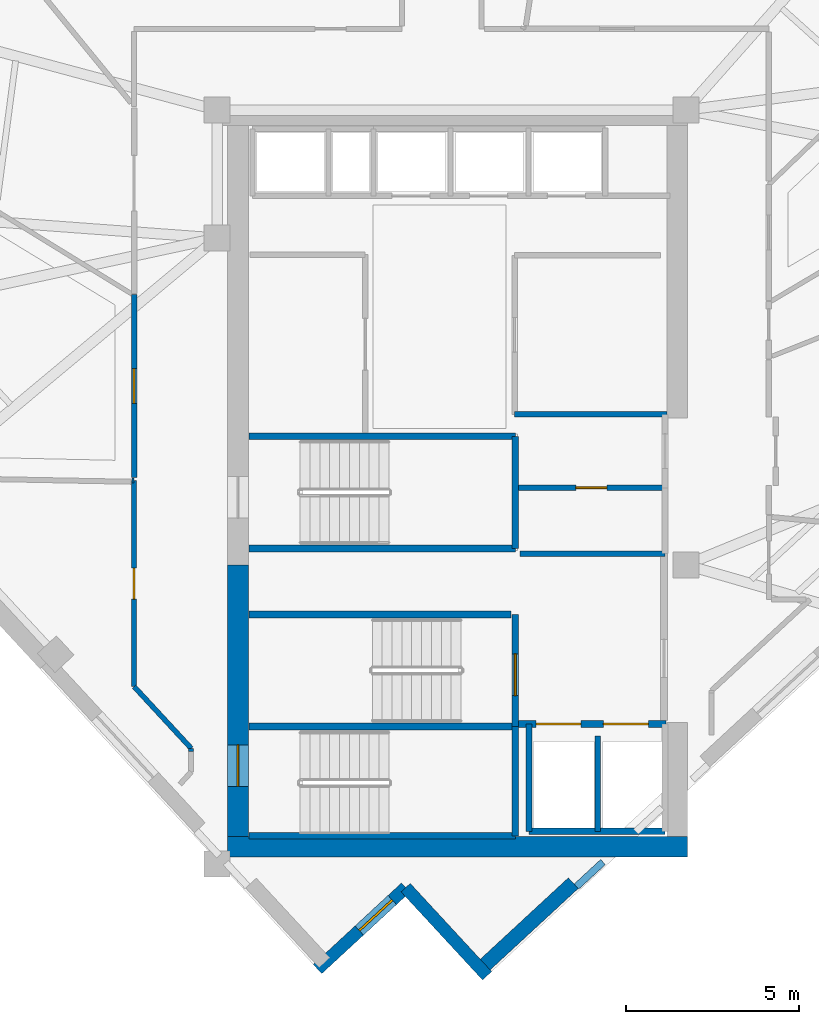
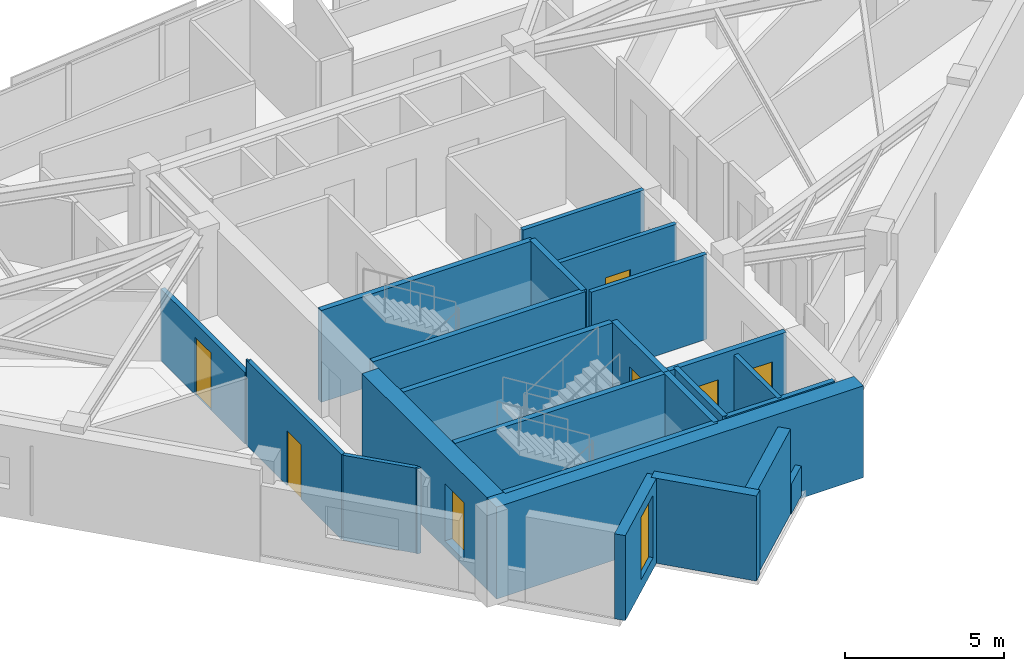
# One storey, part 8 of 13: 26 walls, 7 doors, 1 window, 8 openings.
"""IFC4 building model written with IfcOpenShell, lengths in metres."""

from ifc_helpers import new_model, si_unit, direction, frame, frame_2d, origin, place, context, subcontext, project, spatial, rectangle, extrude, material, layer, layer_set, type_object, element, fill, save


model = new_model("IFC4")

# Units and contexts
model_context = context("Model", 3, precision=1e-05, world=origin(), true_north=direction((0.0, 1.0)))
body_context = subcontext(model_context, "Body", "Model", "MODEL_VIEW")
ifc_project = project(units=[si_unit("LENGTHUNIT", "METRE"), si_unit("AREAUNIT", "SQUARE_METRE"), si_unit("VOLUMEUNIT", "CUBIC_METRE"), si_unit("PLANEANGLEUNIT", "RADIAN"), si_unit("MASSUNIT", "GRAM", prefix="KILO")], contexts=[model_context])

# Site, building, storey
site_placement = place(None, origin())
site = spatial("IfcSite", under=ifc_project, at=site_placement, CompositionType="ELEMENT")
building_placement = place(site_placement, origin())
building = spatial("IfcBuilding", under=site, at=building_placement, Name="Narakoshi Arena Tower", CompositionType="ELEMENT")
storey_placement = place(building_placement, frame((0.0, 0.0, 274.820068359375)))
storey = spatial("IfcBuildingStorey", under=building, at=storey_placement, Name="L75", CompositionType="ELEMENT", Elevation=274.820068359375)

# Wall, opening, door
ifc_material_1 = material(Name="Concrete C50/60", Category="concrete")
ifc_layer_1 = layer(ifc_material_1, 0.60009765625)
ifc_layer_set_1 = layer_set([ifc_layer_1], Name="Concrete C50/60")
wall_type_1 = type_object("IfcWallType", Name="WL-CORE-600", PredefinedType="SHEAR", material=ifc_layer_set_1)
wall_1_placement = place(storey_placement, frame((72.60009765625, 35.5, -0.260009765625), z_axis=(0.0, 0.0, 1.0), x_axis=(0.0, 1.0, 0.0)))
wall_1 = element("IfcWall", 1, at=wall_1_placement, inside=storey, type_object=wall_type_1, Name="L75 Central Core Shear Wall CW-APX-W", PredefinedType="SHEAR", context=body_context, shape_type="SweptSolid", body=[
    extrude(rectangle(XDim=7.85009765625, YDim=0.60009765625, at=frame_2d((3.925048828125, 0.0))), origin(), (0.0, 0.0, 1.0), 3.52001953125),
])
opening_1_placement = place(wall_1_placement, frame((1.449951171875, 0.0, 0.260009765625)))
opening_1 = element("IfcOpeningElement", 2, at=opening_1_placement, cuts=wall_1, Name="Opening D-03", PredefinedType="OPENING", context=body_context, shape_type="SweptSolid", body=[
    extrude(rectangle(XDim=1.199951171875, YDim=2.199951171875, at=frame_2d((0.60009765625, 1.10009765625))), frame((0.0, 0.31005859375, 0.0), z_axis=(0.0, -1.0, 0.0), x_axis=(1.0, 0.0, 0.0)), (0.0, 0.0, 1.0), 0.6201171875),
])
ifc_material_2 = material(Name="Painted galvanized steel", Category="steel")
door_type_1 = type_object("IfcDoorType", Name="DR-STR-1200", OperationType="NOTDEFINED", PredefinedType="USERDEFINED", material=ifc_material_2)
door_1_placement = place(opening_1_placement, frame((1.199951171875, 0.0, 0.0), z_axis=(0.0, 0.0, 1.0), x_axis=(-1.0, 0.0, 0.0)))
door_1 = element("IfcDoor", 3, at=door_1_placement, inside=storey, type_object=door_type_1, Name="DR-L75-001", ObjectType="EXITDOOR", OperationType="SINGLE_SWING_LEFT", OverallHeight=2.199951171875, OverallWidth=1.199951171875, PredefinedType="USERDEFINED", context=body_context, shape_type="SweptSolid", body=[
    extrude(rectangle(XDim=1.199951171875, YDim=2.199951171875, at=frame_2d((0.60009765625, 1.10009765625))), frame((0.0, 0.02490234375, 0.0), z_axis=(0.0, -1.0, 0.0), x_axis=(1.0, 0.0, 0.0)), (0.0, 0.0, 1.0), 0.050048828125),
])
fill(opening_1, door_1)

# Wall
wall_2_placement = place(storey_placement, frame((72.300048828125, 35.199951171875, -0.260009765625), z_axis=(0.0, 0.0, 1.0), x_axis=(1.0, 0.0, 0.0)))
element("IfcWall", 4, at=wall_2_placement, inside=storey, type_object=wall_type_1, Name="L75 Central Core Shear Wall CW-APX-S", PredefinedType="SHEAR", context=body_context, shape_type="SweptSolid", body=[
    extrude(rectangle(XDim=13.300048828125, YDim=0.60009765625, at=frame_2d((6.64990234375, 0.0))), origin(), (0.0, 0.0, 1.0), 3.52001953125),
])

# Wall, opening, door
ifc_material_3 = material(Name="Gypsum plasterboard fire-rated partition")
ifc_layer_2 = layer(ifc_material_3, 0.1650390625)
ifc_layer_set_2 = layer_set([ifc_layer_2], Name="Gypsum plasterboard fire-rated partition")
wall_type_2 = type_object("IfcWallType", Name="WL-CORR-165", PredefinedType="PARTITIONING", material=ifc_layer_set_2)
wall_3_placement = place(storey_placement, frame((69.60009765625, 51.1748046875, 0.0), z_axis=(0.0, 0.0, 1.0), x_axis=(0.0, -1.0, 0.0)))
wall_3 = element("IfcWall", 5, at=wall_3_placement, inside=storey, type_object=wall_type_2, Name="L75 Corridor Partition 08-1", PredefinedType="PARTITIONING", context=body_context, shape_type="SweptSolid", body=[
    extrude(rectangle(XDim=5.301513671875, YDim=0.1650390625, at=frame_2d((2.65087890625, 0.0))), origin(), (0.0, 0.0, 1.0), 2.744873046875),
])
opening_2_placement = place(wall_3_placement, frame((2.15087890625, 0.0, 0.0)))
opening_2 = element("IfcOpeningElement", 6, at=opening_2_placement, cuts=wall_3, Name="Opening D-06", PredefinedType="OPENING", context=body_context, shape_type="SweptSolid", body=[
    extrude(rectangle(XDim=1.0, YDim=2.199951171875, at=frame_2d((0.5, 1.10009765625))), frame((0.0, 0.092529296875, 0.0), z_axis=(0.0, -1.0, 0.0), x_axis=(1.0, 0.0, 0.0)), (0.0, 0.0, 1.0), 0.18505859375),
])
ifc_material_4 = material(Name="Stained oak solid-core timber", Category="wood")
door_type_2 = type_object("IfcDoorType", Name="DR-OFF-1000", OperationType="NOTDEFINED", PredefinedType="DOOR", material=ifc_material_4)
door_2_placement = place(opening_2_placement, frame((1.0, 0.0, 0.0), z_axis=(0.0, 0.0, 1.0), x_axis=(-1.0, 0.0, 0.0)))
door_2 = element("IfcDoor", 7, at=door_2_placement, inside=storey, type_object=door_type_2, Name="DR-L75-021", OperationType="SINGLE_SWING_RIGHT", OverallHeight=2.199951171875, OverallWidth=1.0, PredefinedType="DOOR", context=body_context, shape_type="SweptSolid", body=[
    extrude(rectangle(XDim=1.0, YDim=2.199951171875, at=frame_2d((0.5, 1.10009765625))), frame((0.0, 0.02490234375, 0.0), z_axis=(0.0, -1.0, 0.0), x_axis=(1.0, 0.0, 0.0)), (0.0, 0.0, 1.0), 0.050048828125),
])
fill(opening_2, door_2)

# Walls
ifc_material_5 = material(Name="Precast concrete C45/55", Category="concrete")
ifc_layer_3 = layer(ifc_material_5, 0.25)
ifc_layer_set_3 = layer_set([ifc_layer_3], Name="Precast concrete C45/55")
wall_type_3 = type_object("IfcWallType", Name="WL-PARA-250", PredefinedType="PARAPET", material=ifc_layer_set_3)
wall_4_placement = place(storey_placement, frame((83.15625, 34.760009765625, 0.0), z_axis=(0.0, 0.0, 1.0), x_axis=(-0.734364355784, -0.678755473609, 0.0)))
element("IfcWall", 8, at=wall_4_placement, inside=storey, type_object=wall_type_3, Name="L75 Crown Sill Upstand Parapet 05", PredefinedType="PARAPET", context=body_context, shape_type="SweptSolid", body=[
    extrude(rectangle(XDim=1.044921875, YDim=0.199951171875, at=frame_2d((0.5224609375, 0.0))), origin(), (0.0, 0.0, 1.0), 1.14990234375),
])
ifc_layer_4 = layer(ifc_material_5, 0.419921875)
ifc_layer_set_4 = layer_set([ifc_layer_4], Name="Precast concrete C45/55")
wall_type_4 = type_object("IfcWallType", Name="WL-POD-420", PredefinedType="SOLIDWALL", material=ifc_layer_set_4)
wall_5_placement = place(storey_placement, frame((79.618896484375, 31.674072265625, 0.0), z_axis=(0.0, 0.0, 1.0), x_axis=(0.734338793707, 0.678783128884, 0.0)))
element("IfcWall", 9, at=wall_5_placement, inside=storey, type_object=wall_type_4, Name="L75 Architectural Concrete Facade Wall LEGA-1", PredefinedType="SOLIDWALL", context=body_context, shape_type="SweptSolid", body=[
    extrude(rectangle(XDim=3.6474609375, YDim=0.419921875, at=frame_2d((1.82373046875, 0.0))), origin(), (0.0, 0.0, 1.0), 3.260009765625),
])

# Wall, opening, window
wall_6_placement = place(storey_placement, frame((74.9033203125, 31.664794921875, 0.0), z_axis=(0.0, 0.0, 1.0), x_axis=(0.734325680362, 0.678797315228, 0.0)))
wall_6 = element("IfcWall", 10, at=wall_6_placement, inside=storey, type_object=wall_type_4, Name="L75 Re-Entrant Corner Notch Wall NTA-1", PredefinedType="SOLIDWALL", context=body_context, shape_type="SweptSolid", body=[
    extrude(rectangle(XDim=3.468994140625, YDim=0.360107421875, at=frame_2d((1.734375, 0.0))), origin(), (0.0, 0.0, 1.0), 3.260009765625),
])
opening_3_placement = place(wall_6_placement, frame((1.64306640625, 0.0, 0.449951171875)))
opening_3 = element("IfcOpeningElement", 11, at=opening_3_placement, cuts=wall_6, Name="Opening WN-06", PredefinedType="OPENING", context=body_context, shape_type="SweptSolid", body=[
    extrude(rectangle(XDim=1.300048828125, YDim=2.39990234375, at=frame_2d((0.64990234375, 1.199951171875))), frame((0.0, 0.18994140625, 0.0), z_axis=(0.0, -1.0, 0.0), x_axis=(1.0, 0.0, 0.0)), (0.0, 0.0, 1.0), 0.380126953125),
])
ifc_material_6 = material(Name="Bronze-tinted low-E laminated glass", Category="glass")
window_type = type_object("IfcWindowType", Name="WIN-NTC-16x24", PartitioningType="SINGLE_PANEL", PredefinedType="WINDOW", material=ifc_material_6)
window_placement = place(opening_3_placement, origin())
window = element("IfcWindow", 12, at=window_placement, inside=storey, type_object=window_type, Name="L75 Corner Notch Window NTA", OverallHeight=2.39990234375, OverallWidth=1.300048828125, PartitioningType="SINGLE_PANEL", PredefinedType="WINDOW", context=body_context, shape_type="SweptSolid", body=[
    extrude(rectangle(XDim=1.300048828125, YDim=2.39990234375, at=frame_2d((0.64990234375, 1.199951171875))), frame((0.0, 0.030029296875, 0.0), z_axis=(0.0, -1.0, 0.0), x_axis=(1.0, 0.0, 0.0)), (0.0, 0.0, 1.0), 0.06005859375),
])
fill(opening_3, window)

# Walls
wall_7_placement = place(storey_placement, frame((77.45068359375, 34.01953125, 0.0), z_axis=(0.0, 0.0, 1.0), x_axis=(0.678835262818, -0.734290600481, 0.0)))
element("IfcWall", 13, at=wall_7_placement, inside=storey, type_object=wall_type_4, Name="L75 Re-Entrant Corner Notch Wall NTA-2", PredefinedType="SOLIDWALL", context=body_context, shape_type="SweptSolid", body=[
    extrude(rectangle(XDim=3.46923828125, YDim=0.360107421875, at=frame_2d((1.734619140625, 0.0))), origin(), (0.0, 0.0, 1.0), 3.260009765625),
])
ifc_material_7 = material(Name="Concrete C40/50", Category="concrete")
ifc_layer_5 = layer(ifc_material_7, 0.280029296875)
ifc_layer_set_5 = layer_set([ifc_layer_5], Name="Concrete C40/50")
wall_type_5 = type_object("IfcWallType", Name="WL-RISER-280", PredefinedType="PLUMBINGWALL", material=ifc_layer_set_5)
wall_8_placement = place(storey_placement, frame((83.0, 35.64990234375, 0.0), z_axis=(0.0, 0.0, 1.0), x_axis=(0.0, 1.0, 0.0)))
element("IfcWall", 14, at=wall_8_placement, inside=storey, type_object=wall_type_5, Name="L75 Core Wall FF-DIV", PredefinedType="PLUMBINGWALL", context=body_context, shape_type="SweptSolid", body=[
    extrude(rectangle(XDim=2.75, YDim=0.159912109375, at=frame_2d((1.375, 0.0))), origin(), (0.0, 0.0, 1.0), 3.260009765625),
])

# Wall, opening, door
wall_9_placement = place(storey_placement, frame((80.719970703125, 45.580078125, 0.0), z_axis=(0.0, 0.0, 1.0), x_axis=(1.0, 0.0, 0.0)))
wall_9 = element("IfcWall", 15, at=wall_9_placement, inside=storey, type_object=wall_type_5, Name="L75 Core Wall RSR-N", PredefinedType="PLUMBINGWALL", context=body_context, shape_type="SweptSolid", body=[
    extrude(rectangle(XDim=4.22998046875, YDim=0.159912109375, at=frame_2d((2.114990234375, 0.0))), origin(), (0.0, 0.0, 1.0), 3.260009765625),
])
opening_4_placement = place(wall_9_placement, frame((1.64990234375, 0.0, 0.0)))
opening_4 = element("IfcOpeningElement", 16, at=opening_4_placement, cuts=wall_9, Name="Opening D-08", PredefinedType="OPENING", context=body_context, shape_type="SweptSolid", body=[
    extrude(rectangle(XDim=0.89990234375, YDim=2.10009765625, at=frame_2d((0.449951171875, 1.050048828125))), frame((0.0, 0.08984375, 0.0), z_axis=(0.0, -1.0, 0.0), x_axis=(1.0, 0.0, 0.0)), (0.0, 0.0, 1.0), 0.179931640625),
])
ifc_material_8 = material(Name="Moisture-resistant laminate timber", Category="wood")
door_type_3 = type_object("IfcDoorType", Name="DR-WC-900", OperationType="NOTDEFINED", PredefinedType="DOOR", material=ifc_material_8)
door_3_placement = place(opening_4_placement, frame((0.89990234375, 0.0, 0.0), z_axis=(0.0, 0.0, 1.0), x_axis=(-1.0, 0.0, 0.0)))
door_3 = element("IfcDoor", 17, at=door_3_placement, inside=storey, type_object=door_type_3, Name="DR-L75-008", OperationType="SINGLE_SWING_LEFT", OverallHeight=2.10009765625, OverallWidth=0.89990234375, PredefinedType="DOOR", context=body_context, shape_type="SweptSolid", body=[
    extrude(rectangle(XDim=0.89990234375, YDim=2.10009765625, at=frame_2d((0.449951171875, 1.050048828125))), frame((0.0, 0.02490234375, 0.0), z_axis=(0.0, -1.0, 0.0), x_axis=(1.0, 0.0, 0.0)), (0.0, 0.0, 1.0), 0.050048828125),
])
fill(opening_4, door_3)

# Walls
wall_10_placement = place(storey_placement, frame((80.760009765625, 43.679931640625, 0.0), z_axis=(0.0, 0.0, 1.0), x_axis=(1.0, 0.0, 0.0)))
element("IfcWall", 18, at=wall_10_placement, inside=storey, type_object=wall_type_5, Name="L75 Core Wall RSR-S", PredefinedType="PLUMBINGWALL", context=body_context, shape_type="SweptSolid", body=[
    extrude(rectangle(XDim=4.18994140625, YDim=0.159912109375, at=frame_2d((2.094970703125, 0.0))), origin(), (0.0, 0.0, 1.0), 3.260009765625),
])
ifc_layer_6 = layer(ifc_material_1, 0.35009765625)
ifc_layer_set_6 = layer_set([ifc_layer_6], Name="Concrete C50/60")
wall_type_6 = type_object("IfcWallType", Name="WL-SHAFT-350", PredefinedType="SOLIDWALL", material=ifc_layer_set_6)
for number, where, z_axis, x_axis, name in (
    (19, (72.919921875, 35.52001953125, -0.260009765625), (0.0, 0.0, 1.0), (1.0, 0.0, 0.0), "L75 Core Wall ST1-S"),
    (20, (72.919921875, 38.675048828125, -0.260009765625), (0.0, 0.0, 1.0), (1.0, 0.0, 0.0), "L75 Core Wall ST12-DIV"),
):
    element("IfcWall", number, at=place(storey_placement, frame(where, z_axis=z_axis, x_axis=x_axis)), inside=storey, type_object=wall_type_6, Name=name, PredefinedType="SOLIDWALL", context=body_context, shape_type="SweptSolid", body=[
        extrude(rectangle(XDim=7.7001953125, YDim=0.199951171875, at=frame_2d((3.85009765625, 0.0))), origin(), (0.0, 0.0, 1.0), 3.52001953125),
    ])
wall_11_placement = place(storey_placement, frame((80.6201171875, 35.52001953125, -0.260009765625), z_axis=(0.0, 0.0, 1.0), x_axis=(0.0, 1.0, 0.0)))
element("IfcWall", 21, at=wall_11_placement, inside=storey, type_object=wall_type_6, Name="L75 Core Wall ST1-E", PredefinedType="SOLIDWALL", context=body_context, shape_type="SweptSolid", body=[
    extrude(rectangle(XDim=3.155029296875, YDim=0.199951171875, at=frame_2d((1.57763671875, 0.0))), origin(), (0.0, 0.0, 1.0), 3.52001953125),
])

# Wall, opening, door
wall_12_placement = place(storey_placement, frame((80.6201171875, 38.675048828125, -0.260009765625), z_axis=(0.0, 0.0, 1.0), x_axis=(0.0, 1.0, 0.0)))
wall_12 = element("IfcWall", 22, at=wall_12_placement, inside=storey, type_object=wall_type_6, Name="L75 Core Wall ST2-E", PredefinedType="SOLIDWALL", context=body_context, shape_type="SweptSolid", body=[
    extrude(rectangle(XDim=3.244873046875, YDim=0.199951171875, at=frame_2d((1.62255859375, 0.0))), origin(), (0.0, 0.0, 1.0), 3.52001953125),
])
opening_5_placement = place(wall_12_placement, frame((0.89990234375, 0.0, 0.260009765625)))
opening_5 = element("IfcOpeningElement", 23, at=opening_5_placement, cuts=wall_12, Name="Opening D-03", PredefinedType="OPENING", context=body_context, shape_type="SweptSolid", body=[
    extrude(rectangle(XDim=1.199951171875, YDim=2.199951171875, at=frame_2d((0.60009765625, 1.10009765625))), frame((0.0, 0.10986328125, 0.0), z_axis=(0.0, -1.0, 0.0), x_axis=(1.0, 0.0, 0.0)), (0.0, 0.0, 1.0), 0.219970703125),
])
door_4_placement = place(opening_5_placement, origin())
door_4 = element("IfcDoor", 24, at=door_4_placement, inside=storey, type_object=door_type_1, Name="DR-L75-002", ObjectType="EXITDOOR", OperationType="SINGLE_SWING_RIGHT", OverallHeight=2.199951171875, OverallWidth=1.199951171875, PredefinedType="USERDEFINED", context=body_context, shape_type="SweptSolid", body=[
    extrude(rectangle(XDim=1.199951171875, YDim=2.199951171875, at=frame_2d((0.60009765625, 1.10009765625))), frame((0.0, 0.02490234375, 0.0), z_axis=(0.0, -1.0, 0.0), x_axis=(1.0, 0.0, 0.0)), (0.0, 0.0, 1.0), 0.050048828125),
])
fill(opening_5, door_4)

# Wall, openings, doors
wall_13_placement = place(storey_placement, frame((80.719970703125, 38.75, 0.0), z_axis=(0.0, 0.0, 1.0), x_axis=(1.0, 0.0, 0.0)))
wall_13 = element("IfcWall", 25, at=wall_13_placement, inside=storey, type_object=wall_type_6, Name="L75 Core Wall FF-N", PredefinedType="SOLIDWALL", context=body_context, shape_type="SweptSolid", body=[
    extrude(rectangle(XDim=4.260009765625, YDim=0.199951171875, at=frame_2d((2.1298828125, 0.0))), origin(), (0.0, 0.0, 1.0), 3.260009765625),
])
opening_6_placement = place(wall_13_placement, frame((0.5, 0.0, 0.0)))
opening_6 = element("IfcOpeningElement", 26, at=opening_6_placement, cuts=wall_13, Name="Opening LD-02", PredefinedType="OPENING", context=body_context, shape_type="SweptSolid", body=[
    extrude(rectangle(XDim=1.300048828125, YDim=2.300048828125, at=frame_2d((0.64990234375, 1.14990234375))), frame((0.0, 0.10986328125, 0.0), z_axis=(0.0, -1.0, 0.0), x_axis=(1.0, 0.0, 0.0)), (0.0, 0.0, 1.0), 0.219970703125),
])
opening_7_placement = place(wall_13_placement, frame((2.449951171875, 0.0, 0.0)))
opening_7 = element("IfcOpeningElement", 27, at=opening_7_placement, cuts=wall_13, Name="Opening LD-02", PredefinedType="OPENING", context=body_context, shape_type="SweptSolid", body=[
    extrude(rectangle(XDim=1.300048828125, YDim=2.300048828125, at=frame_2d((0.64990234375, 1.14990234375))), frame((0.0, 0.10986328125, 0.0), z_axis=(0.0, -1.0, 0.0), x_axis=(1.0, 0.0, 0.0)), (0.0, 0.0, 1.0), 0.219970703125),
])
ifc_material_9 = material(Name="Brushed bronze stainless steel", Category="steel")
door_type_4 = type_object("IfcDoorType", Name="DR-LFT-1300", OperationType="DOUBLE_DOOR_SLIDING", PredefinedType="DOOR", material=ifc_material_9)
door_5_placement = place(opening_6_placement, origin())
door_5 = element("IfcDoor", 28, at=door_5_placement, inside=storey, type_object=door_type_4, Name="DR-L75-003", OperationType="DOUBLE_DOOR_SLIDING", OverallHeight=2.300048828125, OverallWidth=1.300048828125, PredefinedType="DOOR", context=body_context, shape_type="SweptSolid", body=[
    extrude(rectangle(XDim=1.300048828125, YDim=2.300048828125, at=frame_2d((0.64990234375, 1.14990234375))), frame((0.0, 0.02490234375, 0.0), z_axis=(0.0, -1.0, 0.0), x_axis=(1.0, 0.0, 0.0)), (0.0, 0.0, 1.0), 0.050048828125),
])
fill(opening_6, door_5)
door_6_placement = place(opening_7_placement, origin())
door_6 = element("IfcDoor", 29, at=door_6_placement, inside=storey, type_object=door_type_4, Name="DR-L75-004", OperationType="DOUBLE_DOOR_SLIDING", OverallHeight=2.300048828125, OverallWidth=1.300048828125, PredefinedType="DOOR", context=body_context, shape_type="SweptSolid", body=[
    extrude(rectangle(XDim=1.300048828125, YDim=2.300048828125, at=frame_2d((0.64990234375, 1.14990234375))), frame((0.0, 0.02490234375, 0.0), z_axis=(0.0, -1.0, 0.0), x_axis=(1.0, 0.0, 0.0)), (0.0, 0.0, 1.0), 0.050048828125),
])
fill(opening_7, door_6)

# Walls
wall_14_placement = place(storey_placement, frame((81.02001953125, 35.64990234375, 0.0), z_axis=(0.0, 0.0, 1.0), x_axis=(0.0, 1.0, 0.0)))
element("IfcWall", 30, at=wall_14_placement, inside=storey, type_object=wall_type_6, Name="L75 Core Wall FF-W", PredefinedType="SOLIDWALL", context=body_context, shape_type="SweptSolid", body=[
    extrude(rectangle(XDim=3.10009765625, YDim=0.179931640625, at=frame_2d((1.550048828125, 0.0))), origin(), (0.0, 0.0, 1.0), 3.260009765625),
])
wall_15_placement = place(storey_placement, frame((81.02001953125, 35.64990234375, 0.0), z_axis=(0.0, 0.0, 1.0), x_axis=(1.0, 0.0, 0.0)))
element("IfcWall", 31, at=wall_15_placement, inside=storey, type_object=wall_type_6, Name="L75 Core Wall FF-S", PredefinedType="SOLIDWALL", context=body_context, shape_type="SweptSolid", body=[
    extrude(rectangle(XDim=3.929931640625, YDim=0.179931640625, at=frame_2d((1.96484375, 0.0))), origin(), (0.0, 0.0, 1.0), 3.260009765625),
])
wall_16_placement = place(storey_placement, frame((72.919921875, 41.919921875, -0.260009765625), z_axis=(0.0, 0.0, 1.0), x_axis=(1.0, 0.0, 0.0)))
element("IfcWall", 32, at=wall_16_placement, inside=storey, type_object=wall_type_6, Name="L75 Core Wall ST2-N", PredefinedType="SOLIDWALL", context=body_context, shape_type="SweptSolid", body=[
    extrude(rectangle(XDim=7.580078125, YDim=0.199951171875, at=frame_2d((3.7900390625, 0.0))), origin(), (0.0, 0.0, 1.0), 3.52001953125),
])
for number, where, z_axis, x_axis, name in (
    (33, (72.919921875, 43.830078125, -0.260009765625), (0.0, 0.0, 1.0), (1.0, 0.0, 0.0), "L75 Core Wall ST3-S"),
    (34, (72.919921875, 47.070068359375, -0.260009765625), (0.0, 0.0, 1.0), (1.0, 0.0, 0.0), "L75 Core Wall ST3-N"),
):
    element("IfcWall", number, at=place(storey_placement, frame(where, z_axis=z_axis, x_axis=x_axis)), inside=storey, type_object=wall_type_6, Name=name, PredefinedType="SOLIDWALL", context=body_context, shape_type="SweptSolid", body=[
        extrude(rectangle(XDim=7.7001953125, YDim=0.199951171875, at=frame_2d((3.85009765625, 0.0))), origin(), (0.0, 0.0, 1.0), 3.52001953125),
    ])
wall_17_placement = place(storey_placement, frame((80.6201171875, 43.830078125, -0.260009765625), z_axis=(0.0, 0.0, 1.0), x_axis=(0.0, 1.0, 0.0)))
element("IfcWall", 35, at=wall_17_placement, inside=storey, type_object=wall_type_6, Name="L75 Core Wall ST3-E", PredefinedType="SOLIDWALL", context=body_context, shape_type="SweptSolid", body=[
    extrude(rectangle(XDim=3.239990234375, YDim=0.199951171875, at=frame_2d((1.6201171875, 0.0))), origin(), (0.0, 0.0, 1.0), 3.52001953125),
])
wall_18_placement = place(storey_placement, frame((80.60009765625, 47.699951171875, 0.0), z_axis=(0.0, 0.0, 1.0), x_axis=(1.0, 0.0, 0.0)))
element("IfcWall", 36, at=wall_18_placement, inside=storey, type_object=wall_type_6, Name="L75 Core Wall MR-S", PredefinedType="SOLIDWALL", context=body_context, shape_type="SweptSolid", body=[
    extrude(rectangle(XDim=4.39990234375, YDim=0.159912109375, at=frame_2d((2.199951171875, 0.0))), origin(), (0.0, 0.0, 1.0), 3.260009765625),
])

# Wall, opening, door
ifc_material_10 = material(Name="Moisture-resistant cement-board partition")
ifc_layer_7 = layer(ifc_material_10, 0.14501953125)
ifc_layer_set_7 = layer_set([ifc_layer_7], Name="Moisture-resistant cement-board partition")
wall_type_7 = type_object("IfcWallType", Name="WL-WET-145", PredefinedType="PARTITIONING", material=ifc_layer_set_7)
wall_19_placement = place(storey_placement, frame((69.60009765625, 45.788818359375, 0.0), z_axis=(0.0, 0.0, 1.0), x_axis=(0.0, -1.0, 0.0)))
wall_19 = element("IfcWall", 37, at=wall_19_placement, inside=storey, type_object=wall_type_7, Name="L75 Corridor Partition 01-1", PredefinedType="PARTITIONING", context=body_context, shape_type="SweptSolid", body=[
    extrude(rectangle(XDim=5.956298828125, YDim=0.14501953125, at=frame_2d((2.97802734375, 0.0))), origin(), (0.0, 0.0, 1.0), 3.260009765625),
])
opening_8_placement = place(wall_19_placement, frame((2.528076171875, 0.0, 0.0)))
opening_8 = element("IfcOpeningElement", 38, at=opening_8_placement, cuts=wall_19, Name="Opening D-08", PredefinedType="OPENING", context=body_context, shape_type="SweptSolid", body=[
    extrude(rectangle(XDim=0.89990234375, YDim=2.10009765625, at=frame_2d((0.449951171875, 1.050048828125))), frame((0.0, 0.08251953125, 0.0), z_axis=(0.0, -1.0, 0.0), x_axis=(1.0, 0.0, 0.0)), (0.0, 0.0, 1.0), 0.1650390625),
])
door_7_placement = place(opening_8_placement, frame((0.89990234375, 0.0, 0.0), z_axis=(0.0, 0.0, 1.0), x_axis=(-1.0, 0.0, 0.0)))
door_7 = element("IfcDoor", 39, at=door_7_placement, inside=storey, type_object=door_type_3, Name="DR-L75-014", OperationType="SINGLE_SWING_RIGHT", OverallHeight=2.10009765625, OverallWidth=0.89990234375, PredefinedType="DOOR", context=body_context, shape_type="SweptSolid", body=[
    extrude(rectangle(XDim=0.89990234375, YDim=2.10009765625, at=frame_2d((0.449951171875, 1.050048828125))), frame((0.0, 0.02490234375, 0.0), z_axis=(0.0, -1.0, 0.0), x_axis=(1.0, 0.0, 0.0)), (0.0, 0.0, 1.0), 0.050048828125),
])
fill(opening_8, door_7)

# Walls
wall_20_placement = place(storey_placement, frame((69.60009765625, 39.83251953125, 0.0), z_axis=(0.0, 0.0, 1.0), x_axis=(0.678788890344, -0.734333468083, 0.0)))
element("IfcWall", 40, at=wall_20_placement, inside=storey, type_object=wall_type_7, Name="L75 Corridor Partition 01-2", PredefinedType="PARTITIONING", context=body_context, shape_type="SweptSolid", body=[
    extrude(rectangle(XDim=2.4306640625, YDim=0.14501953125, at=frame_2d((1.21533203125, 0.0))), origin(), (0.0, 0.0, 1.0), 3.260009765625),
])
wall_21_placement = place(storey_placement, frame((71.25, 38.047607421875, 0.0), z_axis=(0.0, 0.0, 1.0), x_axis=(0.0, -1.0, 0.0)))
element("IfcWall", 41, at=wall_21_placement, inside=storey, type_object=wall_type_7, Name="L75 Corridor Partition 01-3", PredefinedType="PARTITIONING", context=body_context, shape_type="SweptSolid", body=[
    extrude(rectangle(XDim=0.088623046875, YDim=0.14501953125, at=frame_2d((0.04443359375, 0.0))), origin(), (0.0, 0.0, 1.0), 3.260009765625),
])
wall_22_placement = place(storey_placement, frame((69.5400390625, 45.7900390625, 0.0), z_axis=(0.0, 0.0, 1.0), x_axis=(0.999793507033, -0.020321006241, 0.0)))
element("IfcWall", 42, at=wall_22_placement, inside=storey, type_object=wall_type_7, Name="L75 Corridor Partition 01-4", PredefinedType="PARTITIONING", context=body_context, shape_type="SweptSolid", body=[
    extrude(rectangle(XDim=0.06005859375, YDim=0.14501953125, at=frame_2d((0.030029296875, 0.0))), origin(), (0.0, 0.0, 1.0), 3.260009765625),
])

save(model, "model.ifc")
